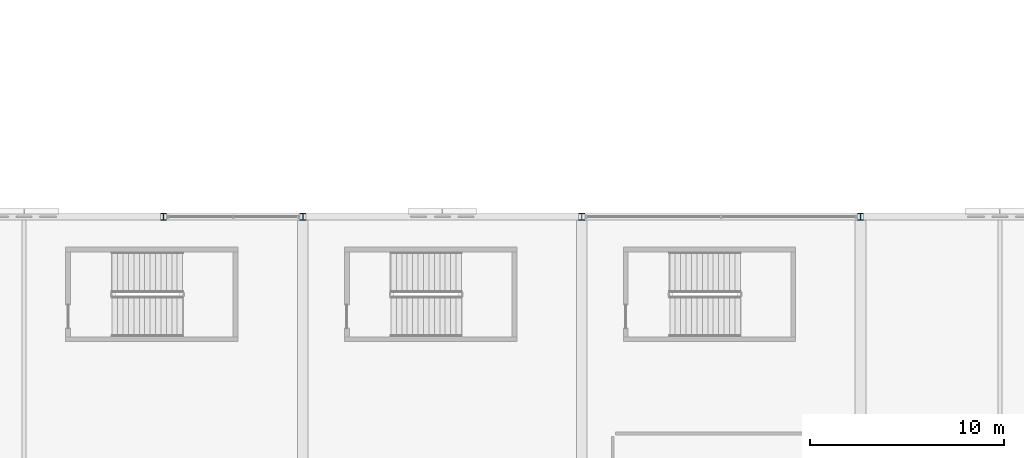
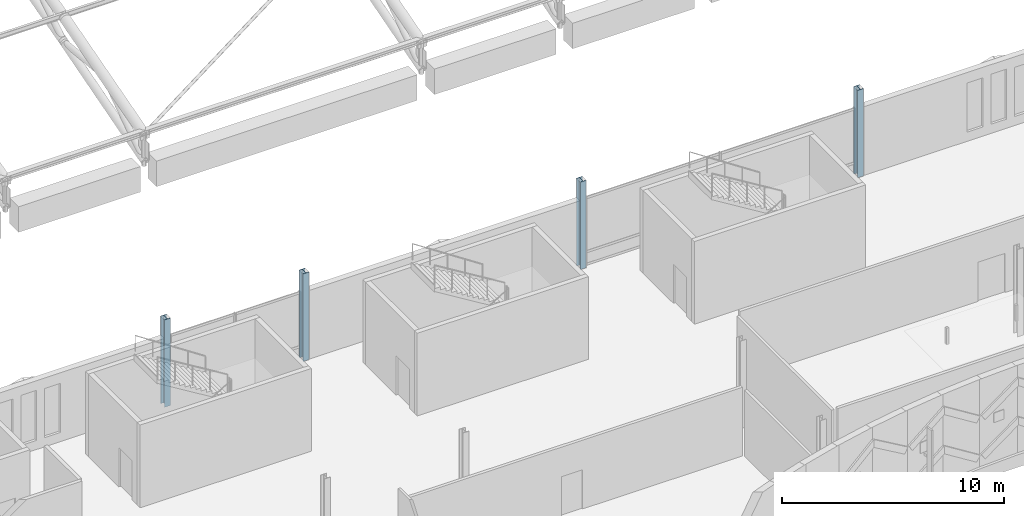
# One storey, part 7 of 193: 4 columns.
"""IFC4 building model written with IfcOpenShell, lengths in metres."""

from ifc_helpers import new_model, si_unit, direction, frame, origin, origin_2d, place, context, subcontext, project, spatial, i_section, extrude, material, material_profile, profile_set, type_object, element, save


model = new_model("IFC4")

# Units and contexts
model_context = context("Model", 3, precision=1e-05, world=origin(), true_north=direction((0.0, 1.0)))
body_context = subcontext(model_context, "Body", "Model", "MODEL_VIEW")
ifc_project = project(units=[si_unit("LENGTHUNIT", "METRE"), si_unit("AREAUNIT", "SQUARE_METRE"), si_unit("VOLUMEUNIT", "CUBIC_METRE"), si_unit("PLANEANGLEUNIT", "RADIAN"), si_unit("MASSUNIT", "GRAM", prefix="KILO")], contexts=[model_context])

# Site, building, storey
site_placement = place(None, origin())
site = spatial("IfcSite", under=ifc_project, at=site_placement, CompositionType="ELEMENT")
building_placement = place(site_placement, origin())
building = spatial("IfcBuilding", under=site, at=building_placement, Name="Cendralis Lancet Convention Centre", CompositionType="ELEMENT")
storey_placement = place(building_placement, frame((0.0, 0.0, 10.199951171875)))
storey = spatial("IfcBuildingStorey", under=building, at=storey_placement, Name="L02", CompositionType="ELEMENT", Elevation=10.199951171875)

# Columns
ifc_material = material(Name="Steel S355", Category="steel")
ifc_material_profile = material_profile(ifc_material, i_section(OverallWidth=0.300048828125, OverallDepth=0.360107421875, WebThickness=0.012451171875, FlangeThickness=0.0224609375, FilletRadius=0.027099609375, at=origin_2d()), Name="HEB 360")
ifc_profile_set = profile_set([ifc_material_profile], Name="Steel S355")
column_type = type_object("IfcColumnType", Name="STR-COL-C26", PredefinedType="COLUMN", material=ifc_profile_set)
for number, where, z_axis, x_axis, name in (
    (1, (72.0, 36.0, 0.0), (0.0, 0.0, 1.0), (1.0, 0.0, 0.0), "L02 Column C26 at 72.0,36.0"),
    (2, (79.199951171875, 36.0, 0.0), (0.0, 0.0, 1.0), (1.0, 0.0, 0.0), "L02 Column C26 at 79.2,36.0"),
    (3, (93.60009765625, 36.0, 0.0), (0.0, 0.0, 1.0), (1.0, 0.0, 0.0), "L02 Column C26 at 93.6,36.0"),
    (4, (108.0, 36.0, 0.0), (0.0, 0.0, 1.0), (1.0, 0.0, 0.0), "L02 Column C26 at 108.0,36.0"),
):
    element("IfcColumn", number, at=place(storey_placement, frame(where, z_axis=z_axis, x_axis=x_axis)), inside=storey, type_object=column_type, Name=name, PredefinedType="COLUMN", context=body_context, shape_type="SweptSolid", body=[
        extrude(i_section(OverallWidth=0.300048828125, OverallDepth=0.360107421875, WebThickness=0.012451171875, FlangeThickness=0.0224609375, FilletRadius=0.027099609375, at=origin_2d()), origin(), (0.0, 0.0, 1.0), 4.800048828125),
    ])

save(model, "model.ifc")
